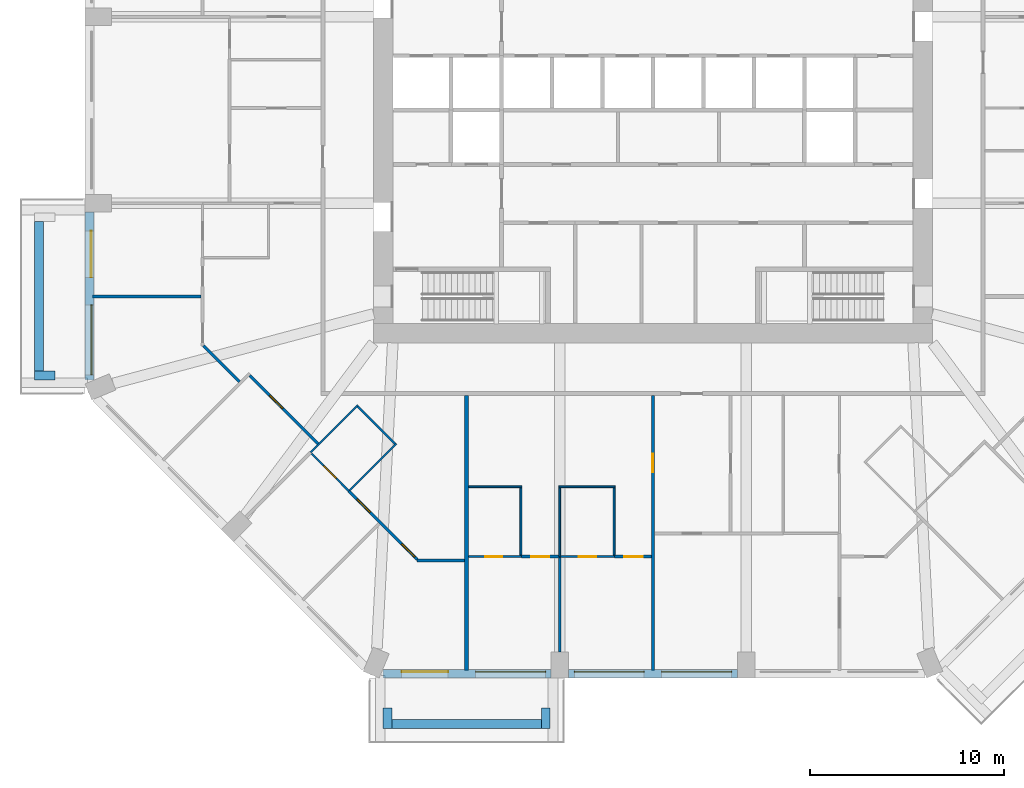
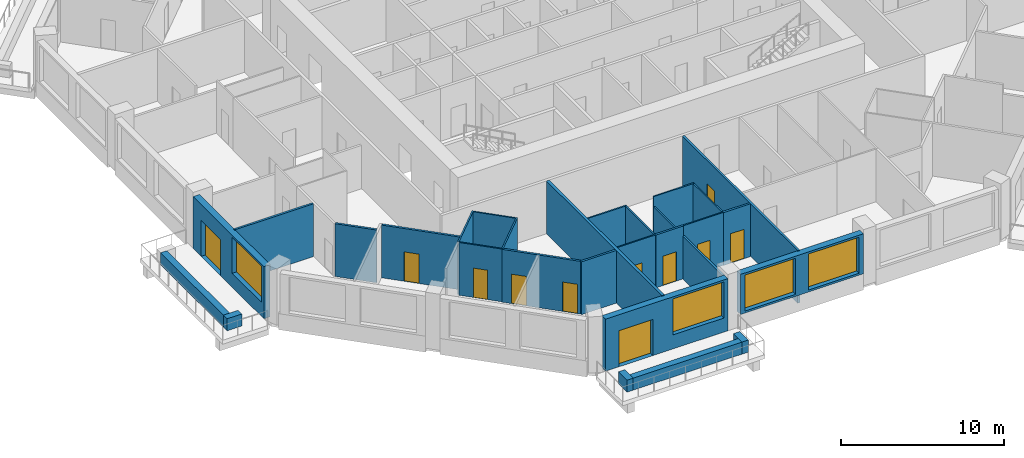
# One storey, part 3 of 13: 29 walls, 11 doors, 4 windows, 15 openings.
"""IFC4 building model written with IfcOpenShell, lengths in metres."""

from ifc_helpers import new_model, si_unit, direction, frame, frame_2d, origin, place, context, subcontext, project, spatial, rectangle, extrude, material, layer, layer_set, type_object, element, fill, save


model = new_model("IFC4")

# Units and contexts
model_context = context("Model", 3, precision=1e-05, world=origin(), true_north=direction((0.0, 1.0)))
body_context = subcontext(model_context, "Body", "Model", "MODEL_VIEW")
ifc_project = project(units=[si_unit("LENGTHUNIT", "METRE"), si_unit("AREAUNIT", "SQUARE_METRE"), si_unit("VOLUMEUNIT", "CUBIC_METRE"), si_unit("PLANEANGLEUNIT", "RADIAN"), si_unit("MASSUNIT", "GRAM", prefix="KILO")], contexts=[model_context])

# Site, building, storey
site_placement = place(None, origin())
site = spatial("IfcSite", under=ifc_project, at=site_placement, CompositionType="ELEMENT")
building_placement = place(site_placement, origin())
building = spatial("IfcBuilding", under=site, at=building_placement, Name="Msitu Wima Residences", CompositionType="ELEMENT")
storey_placement = place(building_placement, frame((0.0, 0.0, 54.89990234375)))
storey = spatial("IfcBuildingStorey", under=building, at=storey_placement, Name="L12", CompositionType="ELEMENT", Elevation=54.89990234375)

# Walls
ifc_material_1 = material(Name="Facing brick")
ifc_layer_1 = layer(ifc_material_1, 0.06494140625, Name="Facing brick")
ifc_material_2 = material(Name="Concrete C40/50", Category="concrete")
ifc_layer_2 = layer(ifc_material_2, 0.156005859375, Name="Concrete C40/50")
ifc_material_3 = material(Name="Waterproofing membrane")
ifc_layer_3 = layer(ifc_material_3, 0.00390625, Name="Waterproofing membrane")
ifc_material_4 = material(Name="Planting soil and planting")
ifc_layer_4 = layer(ifc_material_4, 0.22509765625, Name="Planting soil and planting")
ifc_layer_set_1 = layer_set([ifc_layer_1, ifc_layer_2, ifc_layer_3, ifc_layer_4], Name="Concrete C40/50")
wall_type_1 = type_object("IfcWallType", Name="Balcony planter PLANTER PL450", PredefinedType="USERDEFINED", material=ifc_layer_set_1)
wall_1_placement = place(storey_placement, frame((-31.625, -5.75, 0.0), z_axis=(0.0, 0.0, 1.0), x_axis=(0.0, -1.0, 0.0)))
element("IfcWall", 1, at=wall_1_placement, inside=storey, type_object=wall_type_1, Name="Balcony planter W2 L12", ObjectType="PLANTER", PredefinedType="USERDEFINED", context=body_context, shape_type="SweptSolid", body=[
    extrude(rectangle(XDim=7.699951171875, YDim=0.449951171875, at=frame_2d((3.85009765625, 0.0))), origin(), (0.0, 0.0, 1.0), 0.900146484375),
])
wall_2_placement = place(storey_placement, frame((-30.800048828125, -13.675048828125, 0.0), z_axis=(0.0, 0.0, 1.0), x_axis=(-1.0, 0.0, 0.0)))
element("IfcWall", 2, at=wall_2_placement, inside=storey, type_object=wall_type_1, Name="Balcony planter W2 L12", ObjectType="PLANTER", PredefinedType="USERDEFINED", context=body_context, shape_type="SweptSolid", body=[
    extrude(rectangle(XDim=1.050048828125, YDim=0.449951171875, at=frame_2d((0.52490234375, 0.0))), origin(), (0.0, 0.0, 1.0), 0.900146484375),
])
wall_3_placement = place(storey_placement, frame((-13.449951171875, -31.625, 0.0), z_axis=(0.0, 0.0, 1.0), x_axis=(1.0, 0.0, 0.0)))
element("IfcWall", 3, at=wall_3_placement, inside=storey, type_object=wall_type_1, Name="Balcony planter S0 L12", ObjectType="PLANTER", PredefinedType="USERDEFINED", context=body_context, shape_type="SweptSolid", body=[
    extrude(rectangle(XDim=7.699951171875, YDim=0.449951171875, at=frame_2d((3.85009765625, 0.0))), origin(), (0.0, 0.0, 1.0), 0.900146484375),
])
for number, where, z_axis, x_axis, name in (
    (4, (-13.675048828125, -30.800048828125, 0.0), (0.0, 0.0, 1.0), (0.0, -1.0, 0.0), "Balcony planter S0 L12"),
    (5, (-5.52490234375, -30.800048828125, 0.0), (0.0, 0.0, 1.0), (0.0, -1.0, 0.0), "Balcony planter S0 L12"),
):
    element("IfcWall", number, at=place(storey_placement, frame(where, z_axis=z_axis, x_axis=x_axis)), inside=storey, type_object=wall_type_1, Name=name, ObjectType="PLANTER", PredefinedType="USERDEFINED", context=body_context, shape_type="SweptSolid", body=[
        extrude(rectangle(XDim=1.050048828125, YDim=0.449951171875, at=frame_2d((0.52490234375, 0.0))), origin(), (0.0, 0.0, 1.0), 0.900146484375),
    ])

# Wall, openings, door, window
ifc_material_5 = material(Name="Brick (red buff mix)", Category="masonry")
ifc_layer_5 = layer(ifc_material_5, 0.449951171875)
ifc_layer_set_2 = layer_set([ifc_layer_5], Name="Brick (red buff mix)")
wall_type_2 = type_object("IfcWallType", Name="Brick infill wall BW450", PredefinedType="SOLIDWALL", material=ifc_layer_set_2)
wall_4_placement = place(storey_placement, frame((-29.02490234375, -5.25, 0.0), z_axis=(0.0, 0.0, 1.0), x_axis=(0.0, -1.0, 0.0)))
wall_4 = element("IfcWall", 6, at=wall_4_placement, inside=storey, type_object=wall_type_2, Name="Brick infill wall L12 W2", PredefinedType="SOLIDWALL", context=body_context, shape_type="SweptSolid", body=[
    extrude(rectangle(XDim=8.662841796875, YDim=0.449951171875, at=frame_2d((4.33154296875, 0.0))), origin(), (0.0, 0.0, 1.0), 3.900146484375),
])
opening_1_placement = place(wall_4_placement, frame((0.9658203125, 0.0, 0.0)))
opening_1 = element("IfcOpeningElement", 7, at=opening_1_placement, cuts=wall_4, Name="Opening D11-12.007", PredefinedType="OPENING", context=body_context, shape_type="SweptSolid", body=[
    extrude(rectangle(XDim=2.39990234375, YDim=2.699951171875, at=frame_2d((1.199951171875, 1.35009765625))), frame((0.0, 0.23486328125, 0.0), z_axis=(0.0, -1.0, 0.0), x_axis=(1.0, 0.0, 0.0)), (0.0, 0.0, 1.0), 0.469970703125),
])
opening_2_placement = place(wall_4_placement, frame((4.781494140625, 0.0, 1.050048828125)))
opening_2 = element("IfcOpeningElement", 8, at=opening_2_placement, cuts=wall_4, Name="Opening W11-12.033", PredefinedType="OPENING", context=body_context, shape_type="SweptSolid", body=[
    extrude(rectangle(XDim=3.60009765625, YDim=2.699951171875, at=frame_2d((1.800048828125, 1.35009765625))), frame((0.0, 0.23486328125, 0.0), z_axis=(0.0, -1.0, 0.0), x_axis=(1.0, 0.0, 0.0)), (0.0, 0.0, 1.0), 0.469970703125),
])
ifc_material_6 = material(Name="Anodised aluminium, bronze finish, clear low-emissivity double glazing", Category="aluminium")
door_type_1 = type_object("IfcDoorType", Name="Balcony door D2400x2700", OperationType="SLIDING_TO_LEFT", PredefinedType="DOOR", material=ifc_material_6)
door_1_placement = place(opening_1_placement, origin())
door_1 = element("IfcDoor", 9, at=door_1_placement, inside=storey, type_object=door_type_1, Name="Balcony door L12 W2", OperationType="SINGLE_SWING_LEFT", OverallHeight=2.699951171875, OverallWidth=2.39990234375, PredefinedType="DOOR", context=body_context, shape_type="SweptSolid", body=[
    extrude(rectangle(XDim=2.39990234375, YDim=2.699951171875, at=frame_2d((1.199951171875, 1.35009765625))), frame((0.0, 0.1298828125, 0.0), z_axis=(0.0, -1.0, 0.0), x_axis=(1.0, 0.0, 0.0)), (0.0, 0.0, 1.0), 0.050048828125),
])
fill(opening_1, door_1)
window_type = type_object("IfcWindowType", Name="Window W3600x2700", PartitioningType="DOUBLE_PANEL_VERTICAL", PredefinedType="WINDOW", material=ifc_material_6)
window_1_placement = place(opening_2_placement, origin())
window_1 = element("IfcWindow", 10, at=window_1_placement, inside=storey, type_object=window_type, Name="Window L12 W2.2", OverallHeight=2.699951171875, OverallWidth=3.60009765625, PartitioningType="SINGLE_PANEL", PredefinedType="WINDOW", context=body_context, shape_type="SweptSolid", body=[
    extrude(rectangle(XDim=3.60009765625, YDim=2.699951171875, at=frame_2d((1.800048828125, 1.35009765625))), frame((0.0, 0.135009765625, 0.0), z_axis=(0.0, -1.0, 0.0), x_axis=(1.0, 0.0, 0.0)), (0.0, 0.0, 1.0), 0.06005859375),
])
fill(opening_2, window_1)

wall_5_placement = place(storey_placement, frame((-13.912841796875, -29.02490234375, 0.0), z_axis=(0.0, 0.0, 1.0), x_axis=(1.0, 0.0, 0.0)))
wall_5 = element("IfcWall", 11, at=wall_5_placement, inside=storey, type_object=wall_type_2, Name="Brick infill wall L12 S0", PredefinedType="SOLIDWALL", context=body_context, shape_type="SweptSolid", body=[
    extrude(rectangle(XDim=8.662841796875, YDim=0.449951171875, at=frame_2d((4.33154296875, 0.0))), origin(), (0.0, 0.0, 1.0), 3.900146484375),
])
opening_3_placement = place(wall_5_placement, frame((0.9658203125, 0.0, 0.0)))
opening_3 = element("IfcOpeningElement", 12, at=opening_3_placement, cuts=wall_5, Name="Opening D11-12.005", PredefinedType="OPENING", context=body_context, shape_type="SweptSolid", body=[
    extrude(rectangle(XDim=2.39990234375, YDim=2.699951171875, at=frame_2d((1.199951171875, 1.35009765625))), frame((0.0, 0.23486328125, 0.0), z_axis=(0.0, -1.0, 0.0), x_axis=(1.0, 0.0, 0.0)), (0.0, 0.0, 1.0), 0.469970703125),
])
opening_4_placement = place(wall_5_placement, frame((4.781494140625, 0.0, 1.050048828125)))
opening_4 = element("IfcOpeningElement", 13, at=opening_4_placement, cuts=wall_5, Name="Opening W11-12.017", PredefinedType="OPENING", context=body_context, shape_type="SweptSolid", body=[
    extrude(rectangle(XDim=3.60009765625, YDim=2.699951171875, at=frame_2d((1.800048828125, 1.35009765625))), frame((0.0, 0.23486328125, 0.0), z_axis=(0.0, -1.0, 0.0), x_axis=(1.0, 0.0, 0.0)), (0.0, 0.0, 1.0), 0.469970703125),
])
door_2_placement = place(opening_3_placement, origin())
door_2 = element("IfcDoor", 14, at=door_2_placement, inside=storey, type_object=door_type_1, Name="Balcony door L12 S0", OperationType="SINGLE_SWING_LEFT", OverallHeight=2.699951171875, OverallWidth=2.39990234375, PredefinedType="DOOR", context=body_context, shape_type="SweptSolid", body=[
    extrude(rectangle(XDim=2.39990234375, YDim=2.699951171875, at=frame_2d((1.199951171875, 1.35009765625))), frame((0.0, 0.1298828125, 0.0), z_axis=(0.0, -1.0, 0.0), x_axis=(1.0, 0.0, 0.0)), (0.0, 0.0, 1.0), 0.050048828125),
])
fill(opening_3, door_2)
window_2_placement = place(opening_4_placement, origin())
window_2 = element("IfcWindow", 15, at=window_2_placement, inside=storey, type_object=window_type, Name="Window L12 S0.2", OverallHeight=2.699951171875, OverallWidth=3.60009765625, PartitioningType="SINGLE_PANEL", PredefinedType="WINDOW", context=body_context, shape_type="SweptSolid", body=[
    extrude(rectangle(XDim=3.60009765625, YDim=2.699951171875, at=frame_2d((1.800048828125, 1.35009765625))), frame((0.0, 0.135009765625, 0.0), z_axis=(0.0, -1.0, 0.0), x_axis=(1.0, 0.0, 0.0)), (0.0, 0.0, 1.0), 0.06005859375),
])
fill(opening_4, window_2)

# Wall, openings, windows
wall_6_placement = place(storey_placement, frame((-4.35009765625, -29.02490234375, 0.900146484375), z_axis=(0.0, 0.0, 1.0), x_axis=(1.0, 0.0, 0.0)))
wall_6 = element("IfcWall", 16, at=wall_6_placement, inside=storey, type_object=wall_type_2, Name="Brick infill wall L12 S1", PredefinedType="SOLIDWALL", context=body_context, shape_type="SweptSolid", body=[
    extrude(rectangle(XDim=8.7001953125, YDim=0.449951171875, at=frame_2d((4.35009765625, 0.0))), origin(), (0.0, 0.0, 1.0), 3.0),
])
opening_5_placement = place(wall_6_placement, frame((0.300048828125, 0.0, 0.14990234375)))
opening_5 = element("IfcOpeningElement", 17, at=opening_5_placement, cuts=wall_6, Name="Opening W11-12.018", PredefinedType="OPENING", context=body_context, shape_type="SweptSolid", body=[
    extrude(rectangle(XDim=3.60009765625, YDim=2.699951171875, at=frame_2d((1.800048828125, 1.35009765625))), frame((0.0, 0.23486328125, 0.0), z_axis=(0.0, -1.0, 0.0), x_axis=(1.0, 0.0, 0.0)), (0.0, 0.0, 1.0), 0.469970703125),
])
opening_6_placement = place(wall_6_placement, frame((4.800048828125, 0.0, 0.14990234375)))
opening_6 = element("IfcOpeningElement", 18, at=opening_6_placement, cuts=wall_6, Name="Opening W11-12.019", PredefinedType="OPENING", context=body_context, shape_type="SweptSolid", body=[
    extrude(rectangle(XDim=3.60009765625, YDim=2.699951171875, at=frame_2d((1.800048828125, 1.35009765625))), frame((0.0, 0.23486328125, 0.0), z_axis=(0.0, -1.0, 0.0), x_axis=(1.0, 0.0, 0.0)), (0.0, 0.0, 1.0), 0.469970703125),
])
window_3_placement = place(opening_5_placement, origin())
window_3 = element("IfcWindow", 19, at=window_3_placement, inside=storey, type_object=window_type, Name="Window L12 S1.1", OverallHeight=2.699951171875, OverallWidth=3.60009765625, PartitioningType="SINGLE_PANEL", PredefinedType="WINDOW", context=body_context, shape_type="SweptSolid", body=[
    extrude(rectangle(XDim=3.60009765625, YDim=2.699951171875, at=frame_2d((1.800048828125, 1.35009765625))), frame((0.0, 0.135009765625, 0.0), z_axis=(0.0, -1.0, 0.0), x_axis=(1.0, 0.0, 0.0)), (0.0, 0.0, 1.0), 0.06005859375),
])
fill(opening_5, window_3)
window_4_placement = place(opening_6_placement, origin())
window_4 = element("IfcWindow", 20, at=window_4_placement, inside=storey, type_object=window_type, Name="Window L12 S1.2", OverallHeight=2.699951171875, OverallWidth=3.60009765625, PartitioningType="SINGLE_PANEL", PredefinedType="WINDOW", context=body_context, shape_type="SweptSolid", body=[
    extrude(rectangle(XDim=3.60009765625, YDim=2.699951171875, at=frame_2d((1.800048828125, 1.35009765625))), frame((0.0, 0.135009765625, 0.0), z_axis=(0.0, -1.0, 0.0), x_axis=(1.0, 0.0, 0.0)), (0.0, 0.0, 1.0), 0.06005859375),
])
fill(opening_6, window_4)

# Walls
ifc_material_7 = material(Name="Plaster")
ifc_layer_6 = layer(ifc_material_7, 0.011962890625, Name="Plaster")
ifc_material_8 = material(Name="Concrete blockwork", Category="masonry")
ifc_layer_7 = layer(ifc_material_8, 0.1259765625, Name="Concrete blockwork")
ifc_layer_8 = layer(ifc_material_7, 0.011962890625, Name="Plaster")
ifc_layer_set_3 = layer_set([ifc_layer_6, ifc_layer_7, ifc_layer_8], Name="Concrete blockwork")
wall_type_3 = type_object("IfcWallType", Name="Partition PW150", PredefinedType="PARTITIONING", material=ifc_layer_set_3)
wall_7_placement = place(storey_placement, frame((-28.85498046875, -9.60009765625, 0.0), z_axis=(0.0, 0.0, 1.0), x_axis=(1.0, 0.0, 0.0)))
element("IfcWall", 21, at=wall_7_placement, inside=storey, type_object=wall_type_3, Name="Partition", PredefinedType="PARTITIONING", context=body_context, shape_type="SweptSolid", body=[
    extrude(rectangle(XDim=5.580078125, YDim=0.14990234375, at=frame_2d((2.7900390625, 0.0))), origin(), (0.0, 0.0, 1.0), 3.9501953125),
])
wall_8_placement = place(storey_placement, frame((-23.14697265625, -12.133544921875, 0.0), z_axis=(0.0, 0.0, 1.0), x_axis=(0.70715334579, -0.707060213517, 0.0)))
element("IfcWall", 22, at=wall_8_placement, inside=storey, type_object=wall_type_3, Name="Partition", PredefinedType="PARTITIONING", context=body_context, shape_type="SweptSolid", body=[
    extrude(rectangle(XDim=2.621337890625, YDim=0.14990234375, at=frame_2d((1.310546875, 0.0))), origin(), (0.0, 0.0, 1.0), 3.9501953125),
])

# Wall, opening, door
wall_9_placement = place(storey_placement, frame((-20.762939453125, -13.6689453125, 0.0), z_axis=(0.0, 0.0, 1.0), x_axis=(0.707106781187, -0.707106781187, 0.0)))
wall_9 = element("IfcWall", 23, at=wall_9_placement, inside=storey, type_object=wall_type_3, Name="Partition", PredefinedType="PARTITIONING", context=body_context, shape_type="SweptSolid", body=[
    extrude(rectangle(XDim=4.96630859375, YDim=0.14990234375, at=frame_2d((2.483154296875, 0.0))), origin(), (0.0, 0.0, 1.0), 3.9501953125),
])
opening_7_placement = place(wall_9_placement, frame((1.449951171875, 0.0, 0.0)))
opening_7 = element("IfcOpeningElement", 24, at=opening_7_placement, cuts=wall_9, Name="Opening D11-12.064", PredefinedType="OPENING", context=body_context, shape_type="SweptSolid", body=[
    extrude(rectangle(XDim=0.949951171875, YDim=2.199951171875, at=frame_2d((0.47509765625, 1.10009765625))), frame((0.0, 0.0849609375, 0.0), z_axis=(0.0, -1.0, 0.0), x_axis=(1.0, 0.0, 0.0)), (0.0, 0.0, 1.0), 0.169921875),
])
ifc_material_9 = material(Name="Timber flush door", Category="wood")
door_type_2 = type_object("IfcDoorType", Name="Room door D12 950x2200", OperationType="SINGLE_SWING_LEFT", PredefinedType="DOOR", material=ifc_material_9)
door_3_placement = place(opening_7_placement, origin())
door_3 = element("IfcDoor", 25, at=door_3_placement, inside=storey, type_object=door_type_2, Name="Room door", OperationType="SINGLE_SWING_RIGHT", OverallHeight=2.199951171875, OverallWidth=0.949951171875, PredefinedType="DOOR", context=body_context, shape_type="SweptSolid", body=[
    extrude(rectangle(XDim=0.949951171875, YDim=2.199951171875, at=frame_2d((0.47509765625, 1.10009765625))), frame((0.0, 0.02490234375, 0.0), z_axis=(0.0, -1.0, 0.0), x_axis=(1.0, 0.0, 0.0)), (0.0, 0.0, 1.0), 0.050048828125),
])
fill(opening_7, door_3)

# Wall, openings, doors
wall_10_placement = place(storey_placement, frame((-15.660400390625, -19.6201171875, 0.0), z_axis=(0.0, 0.0, 1.0), x_axis=(0.707106781187, -0.707106781187, 0.0)))
wall_10 = element("IfcWall", 26, at=wall_10_placement, inside=storey, type_object=wall_type_3, Name="Partition", PredefinedType="PARTITIONING", context=body_context, shape_type="SweptSolid", body=[
    extrude(rectangle(XDim=4.98779296875, YDim=0.14990234375, at=frame_2d((2.493896484375, 0.0))), origin(), (0.0, 0.0, 1.0), 3.9501953125),
])
opening_8_placement = place(wall_10_placement, frame((0.60009765625, 0.0, 0.0)))
opening_8 = element("IfcOpeningElement", 27, at=opening_8_placement, cuts=wall_10, Name="Opening D11-12.060", PredefinedType="OPENING", context=body_context, shape_type="SweptSolid", body=[
    extrude(rectangle(XDim=0.949951171875, YDim=2.199951171875, at=frame_2d((0.47509765625, 1.10009765625))), frame((0.0, 0.0849609375, 0.0), z_axis=(0.0, -1.0, 0.0), x_axis=(1.0, 0.0, 0.0)), (0.0, 0.0, 1.0), 0.169921875),
])
opening_9_placement = place(wall_10_placement, frame((3.85009765625, 0.0, 0.0)))
opening_9 = element("IfcOpeningElement", 28, at=opening_9_placement, cuts=wall_10, Name="Opening D11-12.066", PredefinedType="OPENING", context=body_context, shape_type="SweptSolid", body=[
    extrude(rectangle(XDim=0.949951171875, YDim=2.199951171875, at=frame_2d((0.47509765625, 1.10009765625))), frame((0.0, 0.0849609375, 0.0), z_axis=(0.0, -1.0, 0.0), x_axis=(1.0, 0.0, 0.0)), (0.0, 0.0, 1.0), 0.169921875),
])
door_4_placement = place(opening_8_placement, origin())
door_4 = element("IfcDoor", 29, at=door_4_placement, inside=storey, type_object=door_type_2, Name="Room door", OperationType="SINGLE_SWING_LEFT", OverallHeight=2.199951171875, OverallWidth=0.949951171875, PredefinedType="DOOR", context=body_context, shape_type="SweptSolid", body=[
    extrude(rectangle(XDim=0.949951171875, YDim=2.199951171875, at=frame_2d((0.47509765625, 1.10009765625))), frame((0.0, 0.02490234375, 0.0), z_axis=(0.0, -1.0, 0.0), x_axis=(1.0, 0.0, 0.0)), (0.0, 0.0, 1.0), 0.050048828125),
])
fill(opening_8, door_4)
door_5_placement = place(opening_9_placement, origin())
door_5 = element("IfcDoor", 30, at=door_5_placement, inside=storey, type_object=door_type_2, Name="Room door", OperationType="SINGLE_SWING_RIGHT", OverallHeight=2.199951171875, OverallWidth=0.949951171875, PredefinedType="DOOR", context=body_context, shape_type="SweptSolid", body=[
    extrude(rectangle(XDim=0.949951171875, YDim=2.199951171875, at=frame_2d((0.47509765625, 1.10009765625))), frame((0.0, 0.02490234375, 0.0), z_axis=(0.0, -1.0, 0.0), x_axis=(1.0, 0.0, 0.0)), (0.0, 0.0, 1.0), 0.050048828125),
])
fill(opening_9, door_5)

# Wall
wall_11_placement = place(storey_placement, frame((-12.155517578125, -23.199951171875, 0.0), z_axis=(0.0, 0.0, 1.0), x_axis=(1.0, 0.0, 0.0)))
element("IfcWall", 31, at=wall_11_placement, inside=storey, type_object=wall_type_3, Name="Partition", PredefinedType="PARTITIONING", context=body_context, shape_type="SweptSolid", body=[
    extrude(rectangle(XDim=2.45556640625, YDim=0.14990234375, at=frame_2d((1.227783203125, 0.0))), origin(), (0.0, 0.0, 1.0), 3.9501953125),
])

# Wall, opening, door
wall_12_placement = place(storey_placement, frame((-6.780029296875, -23.0, 0.0), z_axis=(0.0, 0.0, 1.0), x_axis=(1.0, 0.0, 0.0)))
wall_12 = element("IfcWall", 32, at=wall_12_placement, inside=storey, type_object=wall_type_3, Name="Partition", PredefinedType="PARTITIONING", context=body_context, shape_type="SweptSolid", body=[
    extrude(rectangle(XDim=1.9599609375, YDim=0.14990234375, at=frame_2d((0.97998046875, 0.0))), origin(), (0.0, 0.0, 1.0), 3.9501953125),
])
opening_10_placement = place(wall_12_placement, frame((0.5, 0.0, 0.0)))
opening_10 = element("IfcOpeningElement", 33, at=opening_10_placement, cuts=wall_12, Name="Opening D11-12.076", PredefinedType="OPENING", context=body_context, shape_type="SweptSolid", body=[
    extrude(rectangle(XDim=0.949951171875, YDim=2.199951171875, at=frame_2d((0.47509765625, 1.10009765625))), frame((0.0, 0.0849609375, 0.0), z_axis=(0.0, -1.0, 0.0), x_axis=(1.0, 0.0, 0.0)), (0.0, 0.0, 1.0), 0.169921875),
])
door_6_placement = place(opening_10_placement, origin())
door_6 = element("IfcDoor", 34, at=door_6_placement, inside=storey, type_object=door_type_2, Name="Room door", OperationType="SINGLE_SWING_LEFT", OverallHeight=2.199951171875, OverallWidth=0.949951171875, PredefinedType="DOOR", context=body_context, shape_type="SweptSolid", body=[
    extrude(rectangle(XDim=0.949951171875, YDim=2.199951171875, at=frame_2d((0.47509765625, 1.10009765625))), frame((0.0, 0.02490234375, 0.0), z_axis=(0.0, -1.0, 0.0), x_axis=(1.0, 0.0, 0.0)), (0.0, 0.0, 1.0), 0.050048828125),
])
fill(opening_10, door_6)

# Wall
wall_13_placement = place(storey_placement, frame((-4.800048828125, -27.89990234375, 0.0), z_axis=(0.0, 0.0, 1.0), x_axis=(0.0, 1.0, 0.0)))
element("IfcWall", 35, at=wall_13_placement, inside=storey, type_object=wall_type_3, Name="Partition", PredefinedType="PARTITIONING", context=body_context, shape_type="SweptSolid", body=[
    extrude(rectangle(XDim=4.919921875, YDim=0.14990234375, at=frame_2d((2.4599609375, 0.0))), origin(), (0.0, 0.0, 1.0), 3.2001953125),
])

# Wall, opening, door
wall_14_placement = place(storey_placement, frame((-1.97998046875, -23.0, 0.0), z_axis=(0.0, 0.0, 1.0), x_axis=(1.0, 0.0, 0.0)))
wall_14 = element("IfcWall", 36, at=wall_14_placement, inside=storey, type_object=wall_type_3, Name="Partition", PredefinedType="PARTITIONING", context=body_context, shape_type="SweptSolid", body=[
    extrude(rectangle(XDim=1.905029296875, YDim=0.14990234375, at=frame_2d((0.95263671875, 0.0))), origin(), (0.0, 0.0, 1.0), 3.9501953125),
])
opening_11_placement = place(wall_14_placement, frame((0.5, 0.0, 0.0)))
opening_11 = element("IfcOpeningElement", 37, at=opening_11_placement, cuts=wall_14, Name="Opening D11-12.074", PredefinedType="OPENING", context=body_context, shape_type="SweptSolid", body=[
    extrude(rectangle(XDim=0.949951171875, YDim=2.199951171875, at=frame_2d((0.47509765625, 1.10009765625))), frame((0.0, 0.0849609375, 0.0), z_axis=(0.0, -1.0, 0.0), x_axis=(1.0, 0.0, 0.0)), (0.0, 0.0, 1.0), 0.169921875),
])
door_7_placement = place(opening_11_placement, origin())
door_7 = element("IfcDoor", 38, at=door_7_placement, inside=storey, type_object=door_type_2, Name="Room door", OperationType="SINGLE_SWING_LEFT", OverallHeight=2.199951171875, OverallWidth=0.949951171875, PredefinedType="DOOR", context=body_context, shape_type="SweptSolid", body=[
    extrude(rectangle(XDim=0.949951171875, YDim=2.199951171875, at=frame_2d((0.47509765625, 1.10009765625))), frame((0.0, 0.02490234375, 0.0), z_axis=(0.0, -1.0, 0.0), x_axis=(1.0, 0.0, 0.0)), (0.0, 0.0, 1.0), 0.050048828125),
])
fill(opening_11, door_7)

wall_15_placement = place(storey_placement, frame((0.0, -28.85498046875, 0.0), z_axis=(0.0, 0.0, 1.0), x_axis=(0.0, 1.0, 0.0)))
wall_15 = element("IfcWall", 39, at=wall_15_placement, inside=storey, type_object=wall_type_3, Name="Partition", PredefinedType="PARTITIONING", context=body_context, shape_type="SweptSolid", body=[
    extrude(rectangle(XDim=14.155029296875, YDim=0.14990234375, at=frame_2d((7.07763671875, 0.0))), origin(), (0.0, 0.0, 1.0), 3.9501953125),
])
opening_12_placement = place(wall_15_placement, frame((10.199951171875, 0.0, 0.0)))
opening_12 = element("IfcOpeningElement", 40, at=opening_12_placement, cuts=wall_15, Name="Opening D11-12.072", PredefinedType="OPENING", context=body_context, shape_type="SweptSolid", body=[
    extrude(rectangle(XDim=0.949951171875, YDim=2.199951171875, at=frame_2d((0.47509765625, 1.10009765625))), frame((0.0, 0.0849609375, 0.0), z_axis=(0.0, -1.0, 0.0), x_axis=(1.0, 0.0, 0.0)), (0.0, 0.0, 1.0), 0.169921875),
])
door_8_placement = place(opening_12_placement, origin())
door_8 = element("IfcDoor", 41, at=door_8_placement, inside=storey, type_object=door_type_2, Name="Room door", OperationType="SINGLE_SWING_RIGHT", OverallHeight=2.199951171875, OverallWidth=0.949951171875, PredefinedType="DOOR", context=body_context, shape_type="SweptSolid", body=[
    extrude(rectangle(XDim=0.949951171875, YDim=2.199951171875, at=frame_2d((0.47509765625, 1.10009765625))), frame((0.0, 0.02490234375, 0.0), z_axis=(0.0, -1.0, 0.0), x_axis=(1.0, 0.0, 0.0)), (0.0, 0.0, 1.0), 0.050048828125),
])
fill(opening_12, door_8)

# Walls
ifc_layer_9 = layer(ifc_material_7, 0.011962890625, Name="Plaster")
ifc_material_10 = material(Name="Dense concrete blockwork", Category="masonry")
ifc_layer_10 = layer(ifc_material_10, 0.176025390625, Name="Dense concrete blockwork")
ifc_layer_11 = layer(ifc_material_7, 0.011962890625, Name="Plaster")
ifc_layer_set_4 = layer_set([ifc_layer_9, ifc_layer_10, ifc_layer_11], Name="Dense concrete blockwork")
wall_type_4 = type_object("IfcWallType", Name="Party wall PW200", PredefinedType="PARTITIONING", material=ifc_layer_set_4)
wall_16_placement = place(storey_placement, frame((-9.60009765625, -28.85498046875, 0.0), z_axis=(0.0, 0.0, 1.0), x_axis=(0.0, 1.0, 0.0)))
element("IfcWall", 42, at=wall_16_placement, inside=storey, type_object=wall_type_4, Name="Party wall", PredefinedType="PARTITIONING", context=body_context, shape_type="SweptSolid", body=[
    extrude(rectangle(XDim=14.155029296875, YDim=0.199951171875, at=frame_2d((7.07763671875, 0.0))), origin(), (0.0, 0.0, 1.0), 3.9501953125),
])
ifc_material_11 = material(Name="Ceramic tiles")
ifc_layer_12 = layer(ifc_material_11, 0.008056640625, Name="Ceramic tiles")
ifc_material_12 = material(Name="Moisture-resistant board")
ifc_layer_13 = layer(ifc_material_12, 0.012451171875, Name="Moisture-resistant board")
ifc_material_13 = material(Name="Light-gauge stud framing with mineral wool")
ifc_layer_14 = layer(ifc_material_13, 0.06689453125, Name="Light-gauge stud framing with mineral wool")
ifc_layer_15 = layer(ifc_material_12, 0.012451171875, Name="Moisture-resistant board")
ifc_layer_set_5 = layer_set([ifc_layer_12, ifc_layer_13, ifc_layer_14, ifc_layer_15], Name="Light-gauge stud framing with mineral wool")
wall_type_5 = type_object("IfcWallType", Name="Wet wall PW100", PredefinedType="PARTITIONING", material=ifc_layer_set_5)
wall_17_placement = place(storey_placement, frame((-17.6259765625, -17.6259765625, 0.0), z_axis=(0.0, 0.0, 1.0), x_axis=(0.707106781187, 0.707106781187, 0.0)))
element("IfcWall", 43, at=wall_17_placement, inside=storey, type_object=wall_type_5, Name="Wet wall", PredefinedType="PARTITIONING", context=body_context, shape_type="SweptSolid", body=[
    extrude(rectangle(XDim=3.429931640625, YDim=0.10009765625, at=frame_2d((1.71484375, 0.0))), origin(), (0.0, 0.0, 1.0), 3.9501953125),
])

# Wall, opening, door
wall_18_placement = place(storey_placement, frame((-17.587158203125, -17.693115234375, 0.0), z_axis=(0.0, 0.0, 1.0), x_axis=(0.707061983646, -0.707151575889, 0.0)))
wall_18 = element("IfcWall", 44, at=wall_18_placement, inside=storey, type_object=wall_type_5, Name="Wet wall", PredefinedType="PARTITIONING", context=body_context, shape_type="SweptSolid", body=[
    extrude(rectangle(XDim=2.72509765625, YDim=0.10009765625, at=frame_2d((1.362548828125, 0.0))), origin(), (0.0, 0.0, 1.0), 3.9501953125),
])
opening_13_placement = place(wall_18_placement, frame((0.89990234375, 0.0, 0.0)))
opening_13 = element("IfcOpeningElement", 45, at=opening_13_placement, cuts=wall_18, Name="Opening D11-12.061", PredefinedType="OPENING", context=body_context, shape_type="SweptSolid", body=[
    extrude(rectangle(XDim=0.89990234375, YDim=2.199951171875, at=frame_2d((0.449951171875, 1.10009765625))), frame((0.0, 0.06005859375, 0.0), z_axis=(0.0, -1.0, 0.0), x_axis=(1.0, 0.0, 0.0)), (0.0, 0.0, 1.0), 0.1201171875),
])
ifc_material_14 = material(Name="Timber flush door, moisture resistant", Category="wood")
door_type_3 = type_object("IfcDoorType", Name="Bathroom door D03 900x2200", OperationType="SINGLE_SWING_LEFT", PredefinedType="DOOR", material=ifc_material_14)
door_9_placement = place(opening_13_placement, origin())
door_9 = element("IfcDoor", 46, at=door_9_placement, inside=storey, type_object=door_type_3, Name="Bathroom door", OperationType="SINGLE_SWING_RIGHT", OverallHeight=2.199951171875, OverallWidth=0.89990234375, PredefinedType="DOOR", context=body_context, shape_type="SweptSolid", body=[
    extrude(rectangle(XDim=0.89990234375, YDim=2.199951171875, at=frame_2d((0.449951171875, 1.10009765625))), frame((0.0, 0.02490234375, 0.0), z_axis=(0.0, -1.0, 0.0), x_axis=(1.0, 0.0, 0.0)), (0.0, 0.0, 1.0), 0.050048828125),
])
fill(opening_13, door_9)

# Walls
wall_19_placement = place(storey_placement, frame((-15.625, -19.584716796875, 0.0), z_axis=(0.0, 0.0, 1.0), x_axis=(0.707142683133, 0.707070877417, 0.0)))
element("IfcWall", 47, at=wall_19_placement, inside=storey, type_object=wall_type_5, Name="Wet wall", PredefinedType="PARTITIONING", context=body_context, shape_type="SweptSolid", body=[
    extrude(rectangle(XDim=3.39990234375, YDim=0.10009765625, at=frame_2d((1.699951171875, 0.0))), origin(), (0.0, 0.0, 1.0), 3.9501953125),
])
wall_20_placement = place(storey_placement, frame((-15.20068359375, -15.271484375, 0.0), z_axis=(0.0, 0.0, 1.0), x_axis=(0.707106781187, -0.707106781187, 0.0)))
element("IfcWall", 48, at=wall_20_placement, inside=storey, type_object=wall_type_5, Name="Wet wall", PredefinedType="PARTITIONING", context=body_context, shape_type="SweptSolid", body=[
    extrude(rectangle(XDim=2.699951171875, YDim=0.10009765625, at=frame_2d((1.35009765625, 0.0))), origin(), (0.0, 0.0, 1.0), 3.9501953125),
])

# Wall, opening, door
wall_21_placement = place(storey_placement, frame((-9.5, -23.0, 0.0), z_axis=(0.0, 0.0, 1.0), x_axis=(1.0, 0.0, 0.0)))
wall_21 = element("IfcWall", 49, at=wall_21_placement, inside=storey, type_object=wall_type_5, Name="Wet wall", PredefinedType="PARTITIONING", context=body_context, shape_type="SweptSolid", body=[
    extrude(rectangle(XDim=2.719970703125, YDim=0.10009765625, at=frame_2d((1.35986328125, 0.0))), origin(), (0.0, 0.0, 1.0), 3.9501953125),
])
opening_14_placement = place(wall_21_placement, frame((0.85009765625, 0.0, 0.0)))
opening_14 = element("IfcOpeningElement", 50, at=opening_14_placement, cuts=wall_21, Name="Opening D11-12.077", PredefinedType="OPENING", context=body_context, shape_type="SweptSolid", body=[
    extrude(rectangle(XDim=0.89990234375, YDim=2.199951171875, at=frame_2d((0.449951171875, 1.10009765625))), frame((0.0, 0.06005859375, 0.0), z_axis=(0.0, -1.0, 0.0), x_axis=(1.0, 0.0, 0.0)), (0.0, 0.0, 1.0), 0.1201171875),
])
door_10_placement = place(opening_14_placement, origin())
door_10 = element("IfcDoor", 51, at=door_10_placement, inside=storey, type_object=door_type_3, Name="Bathroom door", OperationType="SINGLE_SWING_LEFT", OverallHeight=2.199951171875, OverallWidth=0.89990234375, PredefinedType="DOOR", context=body_context, shape_type="SweptSolid", body=[
    extrude(rectangle(XDim=0.89990234375, YDim=2.199951171875, at=frame_2d((0.449951171875, 1.10009765625))), frame((0.0, 0.02490234375, 0.0), z_axis=(0.0, -1.0, 0.0), x_axis=(1.0, 0.0, 0.0)), (0.0, 0.0, 1.0), 0.050048828125),
])
fill(opening_14, door_10)

# Walls
wall_22_placement = place(storey_placement, frame((-9.5, -19.39990234375, 0.0), z_axis=(0.0, 0.0, 1.0), x_axis=(1.0, 0.0, 0.0)))
element("IfcWall", 52, at=wall_22_placement, inside=storey, type_object=wall_type_5, Name="Wet wall", PredefinedType="PARTITIONING", context=body_context, shape_type="SweptSolid", body=[
    extrude(rectangle(XDim=2.75, YDim=0.10009765625, at=frame_2d((1.375, 0.0))), origin(), (0.0, 0.0, 1.0), 3.9501953125),
])
wall_23_placement = place(storey_placement, frame((-6.800048828125, -22.925048828125, 0.0), z_axis=(0.0, 0.0, 1.0), x_axis=(0.0, 1.0, 0.0)))
element("IfcWall", 53, at=wall_23_placement, inside=storey, type_object=wall_type_5, Name="Wet wall", PredefinedType="PARTITIONING", context=body_context, shape_type="SweptSolid", body=[
    extrude(rectangle(XDim=3.47509765625, YDim=0.10009765625, at=frame_2d((1.737548828125, 0.0))), origin(), (0.0, 0.0, 1.0), 3.9501953125),
])

# Wall, opening, door
wall_24_placement = place(storey_placement, frame((-4.820068359375, -23.0, 0.0), z_axis=(0.0, 0.0, 1.0), x_axis=(1.0, 0.0, 0.0)))
wall_24 = element("IfcWall", 54, at=wall_24_placement, inside=storey, type_object=wall_type_5, Name="Wet wall", PredefinedType="PARTITIONING", context=body_context, shape_type="SweptSolid", body=[
    extrude(rectangle(XDim=2.840087890625, YDim=0.10009765625, at=frame_2d((1.419921875, 0.0))), origin(), (0.0, 0.0, 1.0), 3.9501953125),
])
opening_15_placement = place(wall_24_placement, frame((1.0, 0.0, 0.0)))
opening_15 = element("IfcOpeningElement", 55, at=opening_15_placement, cuts=wall_24, Name="Opening D11-12.075", PredefinedType="OPENING", context=body_context, shape_type="SweptSolid", body=[
    extrude(rectangle(XDim=0.89990234375, YDim=2.199951171875, at=frame_2d((0.449951171875, 1.10009765625))), frame((0.0, 0.06005859375, 0.0), z_axis=(0.0, -1.0, 0.0), x_axis=(1.0, 0.0, 0.0)), (0.0, 0.0, 1.0), 0.1201171875),
])
door_11_placement = place(opening_15_placement, origin())
door_11 = element("IfcDoor", 56, at=door_11_placement, inside=storey, type_object=door_type_3, Name="Bathroom door", OperationType="SINGLE_SWING_RIGHT", OverallHeight=2.199951171875, OverallWidth=0.89990234375, PredefinedType="DOOR", context=body_context, shape_type="SweptSolid", body=[
    extrude(rectangle(XDim=0.89990234375, YDim=2.199951171875, at=frame_2d((0.449951171875, 1.10009765625))), frame((0.0, 0.02490234375, 0.0), z_axis=(0.0, -1.0, 0.0), x_axis=(1.0, 0.0, 0.0)), (0.0, 0.0, 1.0), 0.050048828125),
])
fill(opening_15, door_11)

# Walls
wall_25_placement = place(storey_placement, frame((-4.800048828125, -22.97998046875, 0.0), z_axis=(0.0, 0.0, 1.0), x_axis=(0.0, 1.0, 0.0)))
element("IfcWall", 57, at=wall_25_placement, inside=storey, type_object=wall_type_5, Name="Wet wall", PredefinedType="PARTITIONING", context=body_context, shape_type="SweptSolid", body=[
    extrude(rectangle(XDim=3.530029296875, YDim=0.10009765625, at=frame_2d((1.76513671875, 0.0))), origin(), (0.0, 0.0, 1.0), 3.2001953125),
])
wall_26_placement = place(storey_placement, frame((-4.85009765625, -19.39990234375, 0.0), z_axis=(0.0, 0.0, 1.0), x_axis=(1.0, 0.0, 0.0)))
element("IfcWall", 58, at=wall_26_placement, inside=storey, type_object=wall_type_5, Name="Wet wall", PredefinedType="PARTITIONING", context=body_context, shape_type="SweptSolid", body=[
    extrude(rectangle(XDim=2.900146484375, YDim=0.10009765625, at=frame_2d((1.4501953125, 0.0))), origin(), (0.0, 0.0, 1.0), 3.9501953125),
])
wall_27_placement = place(storey_placement, frame((-2.0, -22.925048828125, 0.0), z_axis=(0.0, 0.0, 1.0), x_axis=(0.0, 1.0, 0.0)))
element("IfcWall", 59, at=wall_27_placement, inside=storey, type_object=wall_type_5, Name="Wet wall", PredefinedType="PARTITIONING", context=body_context, shape_type="SweptSolid", body=[
    extrude(rectangle(XDim=3.47509765625, YDim=0.10009765625, at=frame_2d((1.737548828125, 0.0))), origin(), (0.0, 0.0, 1.0), 3.9501953125),
])

save(model, "model.ifc")
